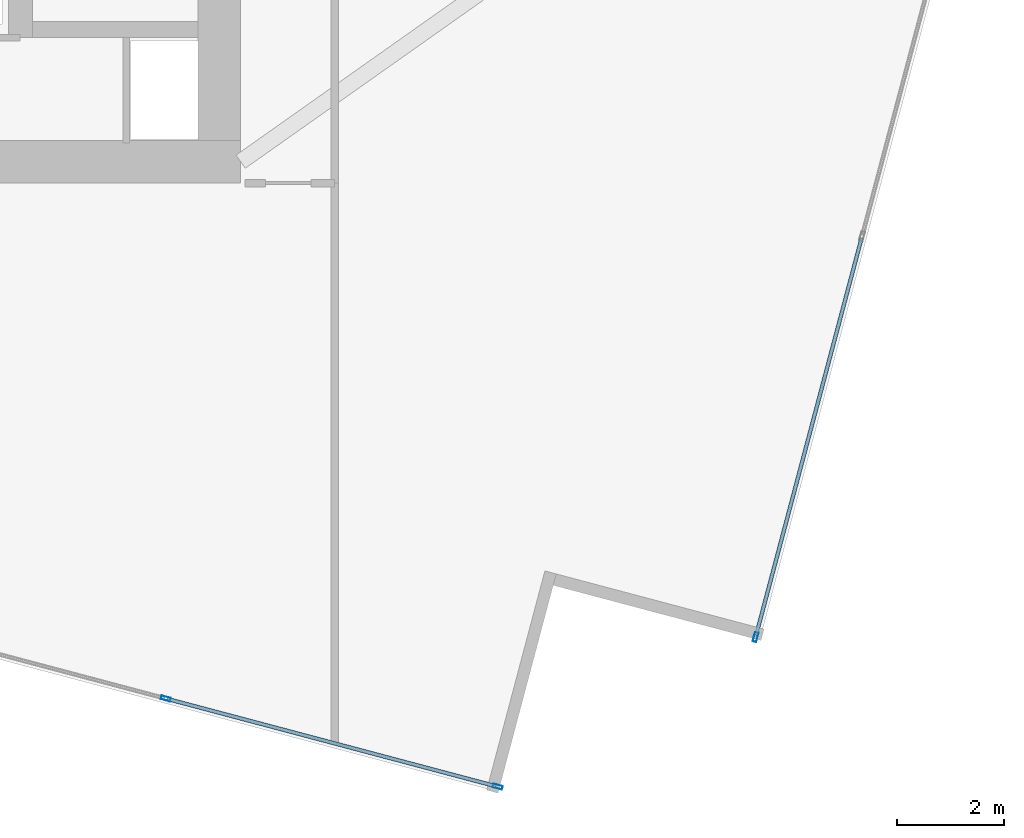
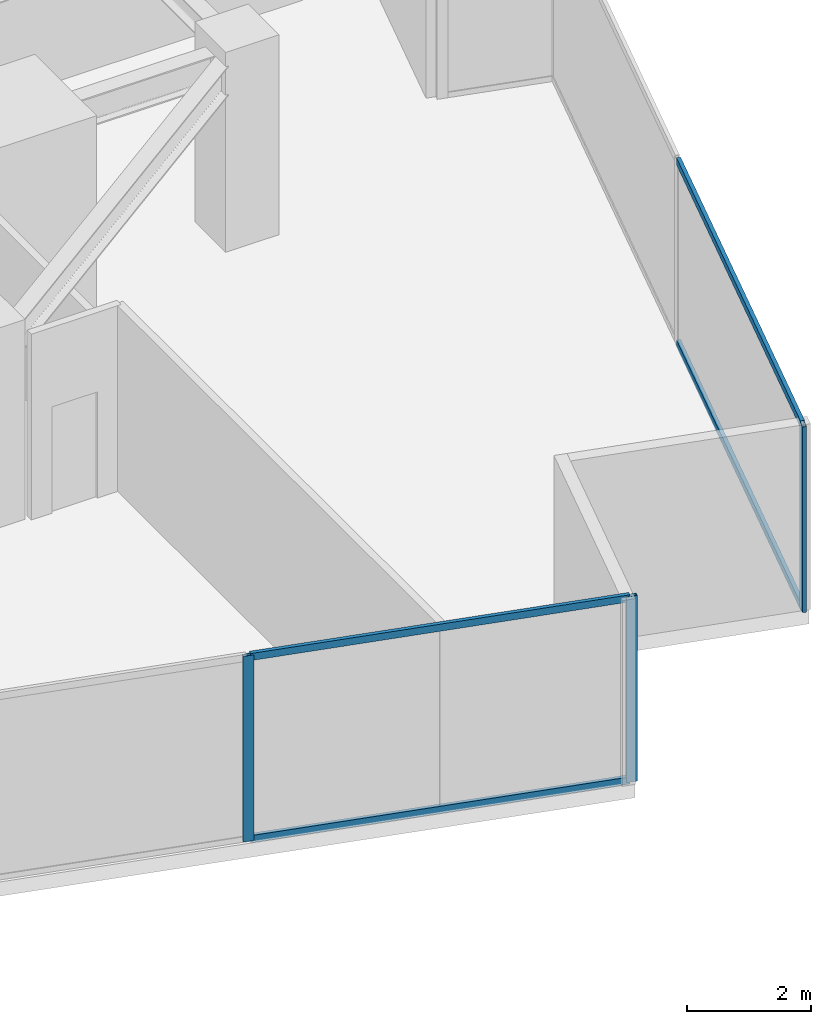
# One storey, part 10 of 27: 7 members, 2 elements without a shape of their own.
"""IFC4 building model written with IfcOpenShell, lengths in metres."""

from ifc_helpers import new_model, si_unit, direction, frame, origin, origin_2d, place, context, subcontext, project, spatial, hollow_rectangle, extrude, source, transform, mapped, material, material_profile, profile_set, type_object, type_shapes, element, aggregate, save


model = new_model("IFC4")

# Units and contexts
model_context = context("Model", 3, precision=1e-05, world=origin(), true_north=direction((0.0, 1.0)))
body_context = subcontext(model_context, "Body", "Model", "MODEL_VIEW")
ifc_project = project(units=[si_unit("LENGTHUNIT", "METRE"), si_unit("AREAUNIT", "SQUARE_METRE"), si_unit("VOLUMEUNIT", "CUBIC_METRE"), si_unit("PLANEANGLEUNIT", "RADIAN"), si_unit("MASSUNIT", "GRAM", prefix="KILO")], contexts=[model_context])

# Site, building, storey
site_placement = place(None, origin())
site = spatial("IfcSite", under=ifc_project, at=site_placement, CompositionType="ELEMENT")
building_placement = place(site_placement, origin())
building = spatial("IfcBuilding", under=site, at=building_placement, Name="Krantzveldt Concourse Tower", CompositionType="ELEMENT")
storey_placement = place(building_placement, frame((0.0, 0.0, 97.949951171875)))
storey = spatial("IfcBuildingStorey", under=building, at=storey_placement, Name="L23", CompositionType="ELEMENT", Elevation=97.949951171875)

# Curtain wall, members
ifc_material = material(Name="Anodised aluminium 6063-T6", Category="aluminium")
curtain_wall_type = type_object("IfcCurtainWallType", Name="CW2", PredefinedType="USERDEFINED", material=ifc_material)
curtain_wall_1_placement = place(storey_placement, origin())
curtain_wall_1 = element("IfcCurtainWall", 1, at=curtain_wall_1_placement, inside=storey, type_object=curtain_wall_type, Name="CW-L23-F04", ObjectType="UNITISED CURTAIN WALL", PredefinedType="USERDEFINED")
ifc_material_profile_1 = material_profile(ifc_material, hollow_rectangle(XDim=0.070068359375, YDim=0.179931640625, WallThickness=0.0048828125, at=origin_2d()), Name="Anodised aluminium 6063-T6", Category="aluminium")
ifc_profile_set_1 = profile_set([ifc_material_profile_1], Name="Anodised aluminium 6063-T6 - ALU-MULL 180x70x5")
member_type_1 = type_object("IfcMemberType", Name="CW-MUL-180", PredefinedType="MULLION", material=ifc_profile_set_1)
shared_shape_1 = source(origin(), body_context, "Body", "SweptSolid", [
    extrude(hollow_rectangle(XDim=0.070068359375, YDim=0.179931640625, WallThickness=0.0048828125, at=origin_2d()), origin(), (0.0, 0.0, 1.0), 3.670166015625),
])
type_shapes(member_type_1, [shared_shape_1])
member_1_placement = place(storey_placement, frame((42.515869140625, 0.85107421875, 0.0), z_axis=(0.0, 0.0, 1.0), x_axis=(0.256711093648, 0.966488186373, 0.0)))
member_1 = element("IfcMember", 2, at=member_1_placement, type_object=member_type_1, Name="CW-Z12 mullion 6", PredefinedType="MULLION", context=body_context, shape_type="MappedRepresentation", body=[
    mapped(shared_shape_1, transform((0.0, 0.0, 0.0), x_axis=(1.0, 0.0, 0.0), y_axis=(0.0, 1.0, 0.0), z_axis=(0.0, 0.0, 1.0), scale=1.0)),
])
member_2_placement = place(storey_placement, frame((48.732177734375, -0.800048828125, 0.0), z_axis=(0.0, 0.0, 1.0), x_axis=(0.256711093648, 0.966488186373, 0.0)))
member_2 = element("IfcMember", 3, at=member_2_placement, type_object=member_type_1, Name="CW-Z12 mullion 7", PredefinedType="MULLION", context=body_context, shape_type="MappedRepresentation", body=[
    mapped(shared_shape_1, transform((0.0, 0.0, 0.0), x_axis=(1.0, 0.0, 0.0), y_axis=(0.0, 1.0, 0.0), z_axis=(0.0, 0.0, 1.0), scale=1.0)),
])

# Curtain wall, member
curtain_wall_2_placement = place(storey_placement, origin())
curtain_wall_2 = element("IfcCurtainWall", 4, at=curtain_wall_2_placement, inside=storey, type_object=curtain_wall_type, Name="CW-L23-F07", ObjectType="UNITISED CURTAIN WALL", PredefinedType="USERDEFINED")
member_3_placement = place(storey_placement, frame((53.5576171875, 2.0, 0.0), z_axis=(0.0, 0.0, 1.0), x_axis=(-0.966488210944, 0.256711001141, 0.0)))
member_3 = element("IfcMember", 5, at=member_3_placement, type_object=member_type_1, Name="CW-Z12 mullion 1", PredefinedType="MULLION", context=body_context, shape_type="MappedRepresentation", body=[
    mapped(shared_shape_1, transform((0.0, 0.0, 0.0), x_axis=(1.0, 0.0, 0.0), y_axis=(0.0, 1.0, 0.0), z_axis=(0.0, 0.0, 1.0), scale=1.0)),
])

# Member
ifc_material_profile_2 = material_profile(ifc_material, hollow_rectangle(XDim=0.070068359375, YDim=0.139892578125, WallThickness=0.0048828125, at=origin_2d()), Name="Anodised aluminium 6063-T6", Category="aluminium")
ifc_profile_set_2 = profile_set([ifc_material_profile_2], Name="Anodised aluminium 6063-T6 - ALU-TRAN 140x70x5")
member_type_2 = type_object("IfcMemberType", Name="CW-TRN-150", PredefinedType="USERDEFINED", material=ifc_profile_set_2)
shared_shape_2 = source(origin(), body_context, "Body", "SweptSolid", [
    extrude(hollow_rectangle(XDim=0.070068359375, YDim=0.139892578125, WallThickness=0.0048828125, at=origin_2d()), origin(), (0.0, 0.0, 1.0), 6.361572265625),
])
member_4_placement = place(storey_placement, frame((42.5498046875, 0.842041015625, 0.03515625), z_axis=(0.966489887801, -0.256704687877, 0.0), x_axis=(0.256704687877, 0.966489887801, 0.0)))
member_4 = element("IfcMember", 6, at=member_4_placement, type_object=member_type_2, Name="CW-Z12 transom 6.1", ObjectType="TRANSOM", PredefinedType="USERDEFINED", context=body_context, shape_type="MappedRepresentation", body=[
    mapped(shared_shape_2, transform((0.0, 0.0, 0.0), x_axis=(1.0, 0.0, 0.0), y_axis=(0.0, 1.0, 0.0), z_axis=(0.0, 0.0, 1.0), scale=1.0)),
])

member_5_placement = place(storey_placement, frame((42.5498046875, 0.842041015625, 3.635009765625), z_axis=(0.966489887801, -0.256704687877, 0.0), x_axis=(0.256704687877, 0.966489887801, 0.0)))
member_5 = element("IfcMember", 7, at=member_5_placement, type_object=member_type_2, Name="CW-Z12 transom 6.2", ObjectType="TRANSOM", PredefinedType="USERDEFINED", context=body_context, shape_type="MappedRepresentation", body=[
    mapped(shared_shape_2, transform((0.0, 0.0, 0.0), x_axis=(1.0, 0.0, 0.0), y_axis=(0.0, 1.0, 0.0), z_axis=(0.0, 0.0, 1.0), scale=1.0)),
])

aggregate(curtain_wall_1, [member_1, member_2, member_4, member_5])

shared_shape_3 = source(origin(), body_context, "Body", "SweptSolid", [
    extrude(hollow_rectangle(XDim=0.070068359375, YDim=0.139892578125, WallThickness=0.0048828125, at=origin_2d()), origin(), (0.0, 0.0, 1.0), 7.69482421875),
])
type_shapes(member_type_2, [shared_shape_2, shared_shape_3])
member_6_placement = place(storey_placement, frame((53.566650390625, 2.033935546875, 0.03515625), z_axis=(0.256708719645, 0.966488816934, 0.0), x_axis=(-0.966488816934, 0.256708719645, 0.0)))
member_6 = element("IfcMember", 8, at=member_6_placement, type_object=member_type_2, Name="CW-Z12 transom 1.1", ObjectType="TRANSOM", PredefinedType="USERDEFINED", context=body_context, shape_type="MappedRepresentation", body=[
    mapped(shared_shape_3, transform((0.0, 0.0, 0.0), x_axis=(1.0, 0.0, 0.0), y_axis=(0.0, 1.0, 0.0), z_axis=(0.0, 0.0, 1.0), scale=1.0)),
])

member_7_placement = place(storey_placement, frame((53.566650390625, 2.033935546875, 3.635009765625), z_axis=(0.256708719645, 0.966488816934, 0.0), x_axis=(-0.966488816934, 0.256708719645, 0.0)))
member_7 = element("IfcMember", 9, at=member_7_placement, type_object=member_type_2, Name="CW-Z12 transom 1.2", ObjectType="TRANSOM", PredefinedType="USERDEFINED", context=body_context, shape_type="MappedRepresentation", body=[
    mapped(shared_shape_3, transform((0.0, 0.0, 0.0), x_axis=(1.0, 0.0, 0.0), y_axis=(0.0, 1.0, 0.0), z_axis=(0.0, 0.0, 1.0), scale=1.0)),
])

aggregate(curtain_wall_2, [member_3, member_6, member_7])

save(model, "model.ifc")
